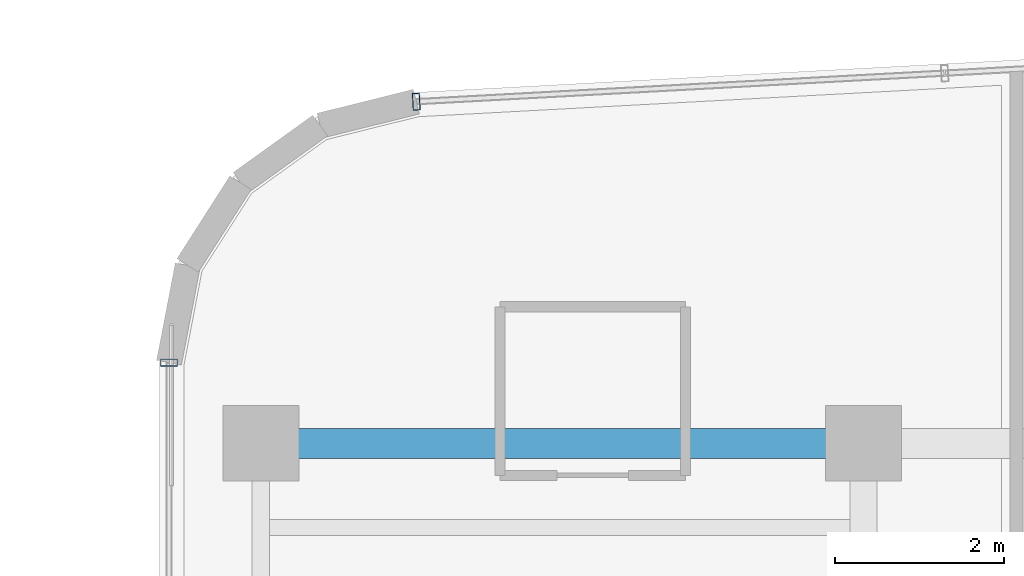
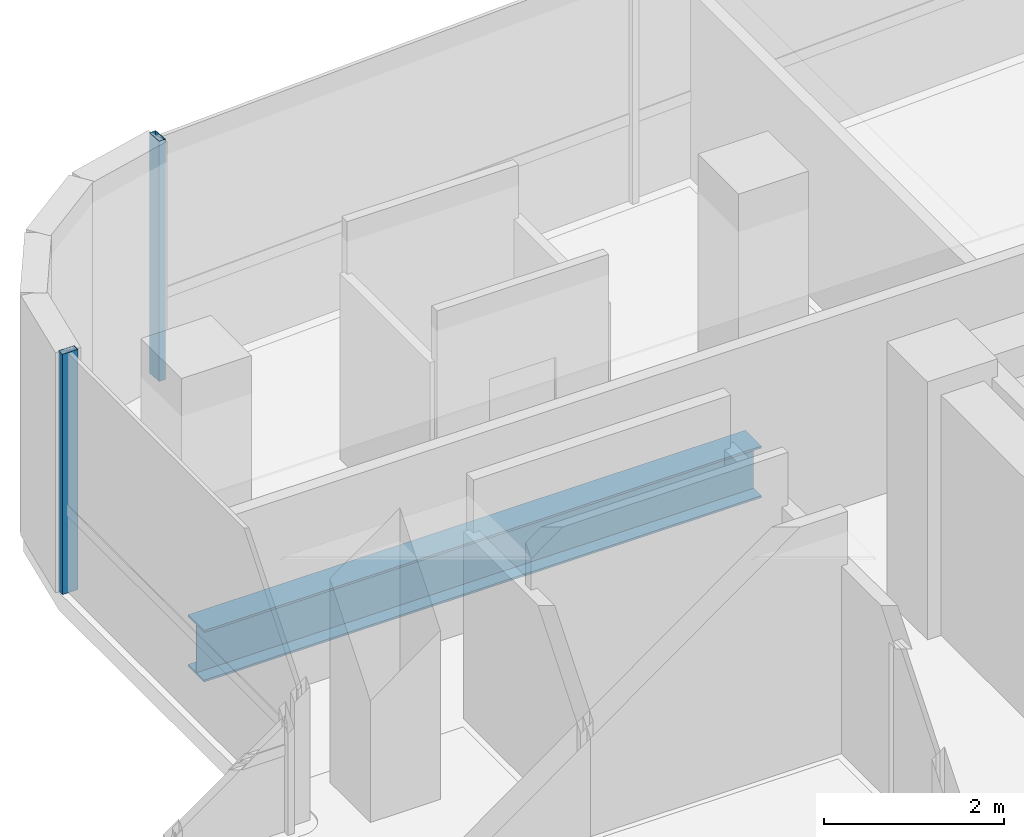
# One storey, part 11 of 22: 2 members, 1 beam, 2 elements without a shape of their own.
"""IFC4 building model written with IfcOpenShell, lengths in metres."""

from ifc_helpers import new_model, si_unit, direction, frame, origin, origin_2d, place, context, subcontext, project, spatial, hollow_rectangle, i_section, extrude, source, transform, mapped, material, material_profile, profile_set, type_object, element, aggregate, save


model = new_model("IFC4")

# Units and contexts
model_context = context("Model", 3, precision=1e-05, world=origin(), true_north=direction((0.0, 1.0)))
body_context = subcontext(model_context, "Body", "Model", "MODEL_VIEW")
ifc_project = project(units=[si_unit("LENGTHUNIT", "METRE"), si_unit("AREAUNIT", "SQUARE_METRE"), si_unit("VOLUMEUNIT", "CUBIC_METRE"), si_unit("PLANEANGLEUNIT", "RADIAN"), si_unit("MASSUNIT", "GRAM", prefix="KILO")], contexts=[model_context])

# Site, building, storey
site_placement = place(None, origin())
site = spatial("IfcSite", under=ifc_project, at=site_placement, CompositionType="ELEMENT")
building_placement = place(site_placement, origin())
building = spatial("IfcBuilding", under=site, at=building_placement, Name="Valdorenza Pilgrim Sanctuary Tower", CompositionType="ELEMENT")
storey_placement = place(building_placement, frame((0.0, 0.0, 216.0)))
storey = spatial("IfcBuildingStorey", under=building, at=storey_placement, Name="L55", CompositionType="ELEMENT", Elevation=216.0)

# Beam
ifc_material_1 = material(Name="Steel ASTM A992 Grade 50", Category="steel")
ifc_material_profile_1 = material_profile(ifc_material_1, i_section(OverallWidth=0.35595703125, OverallDepth=0.700927734375, WebThickness=0.016845703125, FlangeThickness=0.02734375, at=origin_2d()), Name="W27X161")
ifc_profile_set_1 = profile_set([ifc_material_profile_1], Name="Steel ASTM A992 Grade 50")
beam_type = type_object("IfcBeamType", Name="STR-BM-GRD-W27", PredefinedType="BEAM", material=ifc_profile_set_1)
shared_shape_1 = source(origin(), body_context, "Body", "SweptSolid", [
    extrude(i_section(OverallWidth=0.35595703125, OverallDepth=0.700927734375, WebThickness=0.016845703125, FlangeThickness=0.02734375, at=origin_2d()), origin(), (0.0, 0.0, 1.0), 7.150146484375),
])
beam_placement = place(storey_placement, frame((-29.800048828125, 14.800048828125, -0.590576171875), z_axis=(1.0, 0.0, 0.0), x_axis=(0.0, 1.0, 0.0)))
element("IfcBeam", 1, at=beam_placement, inside=storey, type_object=beam_type, Name="L55 Floor Girder WA-XW-N2", PredefinedType="BEAM", context=body_context, shape_type="MappedRepresentation", body=[
    mapped(shared_shape_1, transform((0.0, 0.0, 0.0), x_axis=(1.0, 0.0, 0.0), y_axis=(0.0, 1.0, 0.0), z_axis=(0.0, 0.0, 1.0), scale=1.0)),
])

# Curtain wall, member
ifc_material_2 = material(Name="Curtain-wall IGU glazing", Category="glass")
curtain_wall_type = type_object("IfcCurtainWallType", Name="CW-SYS-02", PredefinedType="NOTDEFINED", material=ifc_material_2)
curtain_wall_1_placement = place(storey_placement, origin())
curtain_wall_1 = element("IfcCurtainWall", 2, at=curtain_wall_1_placement, inside=storey, type_object=curtain_wall_type, Name="L55 Curtain Wall CW-L55-1-1S2", PredefinedType="NOTDEFINED")
ifc_material_3 = material(Name="Anodised aluminium AW-6060", Category="aluminium")
ifc_material_profile_2 = material_profile(ifc_material_3, hollow_rectangle(XDim=0.0849609375, YDim=0.199951171875, WallThickness=0.0048828125, at=origin_2d()), Name="ALU-M 200x85x5")
ifc_profile_set_2 = profile_set([ifc_material_profile_2], Name="Anodised aluminium AW-6060")
member_type = type_object("IfcMemberType", Name="CW-MUL-02", PredefinedType="MULLION", material=ifc_profile_set_2)
shared_shape_2 = source(origin(), body_context, "Body", "SweptSolid", [
    extrude(hollow_rectangle(XDim=0.0849609375, YDim=0.199951171875, WallThickness=0.0048828125, at=origin_2d()), origin(), (0.0, 0.0, 1.0), 3.260009765625),
])
member_1_placement = place(storey_placement, frame((-30.889892578125, 15.757568359375, 0.0), z_axis=(0.0, 0.0, 1.0), x_axis=(0.0, 1.0, 0.0)))
member_1 = element("IfcMember", 3, at=member_1_placement, type_object=member_type, Name="CW-L55-1-1S2 Mullion 2", PredefinedType="MULLION", context=body_context, shape_type="MappedRepresentation", body=[
    mapped(shared_shape_2, transform((0.0, 0.0, 0.0), x_axis=(1.0, 0.0, 0.0), y_axis=(0.0, 1.0, 0.0), z_axis=(0.0, 0.0, 1.0), scale=1.0)),
])
aggregate(curtain_wall_1, [member_1])

curtain_wall_2_placement = place(storey_placement, origin())
curtain_wall_2 = element("IfcCurtainWall", 4, at=curtain_wall_2_placement, inside=storey, type_object=curtain_wall_type, Name="L55 Curtain Wall CW-L55-1-6", PredefinedType="NOTDEFINED")
member_2_placement = place(storey_placement, frame((-27.9560546875, 18.85400390625, 0.0), z_axis=(0.0, 0.0, 1.0), x_axis=(0.998547034311, 0.053887106711, 0.0)))
member_2 = element("IfcMember", 5, at=member_2_placement, type_object=member_type, Name="CW-L55-1-6 Mullion 1", PredefinedType="MULLION", context=body_context, shape_type="MappedRepresentation", body=[
    mapped(shared_shape_2, transform((0.0, 0.0, 0.0), x_axis=(1.0, 0.0, 0.0), y_axis=(0.0, 1.0, 0.0), z_axis=(0.0, 0.0, 1.0), scale=1.0)),
])
aggregate(curtain_wall_2, [member_2])

save(model, "model.ifc")
